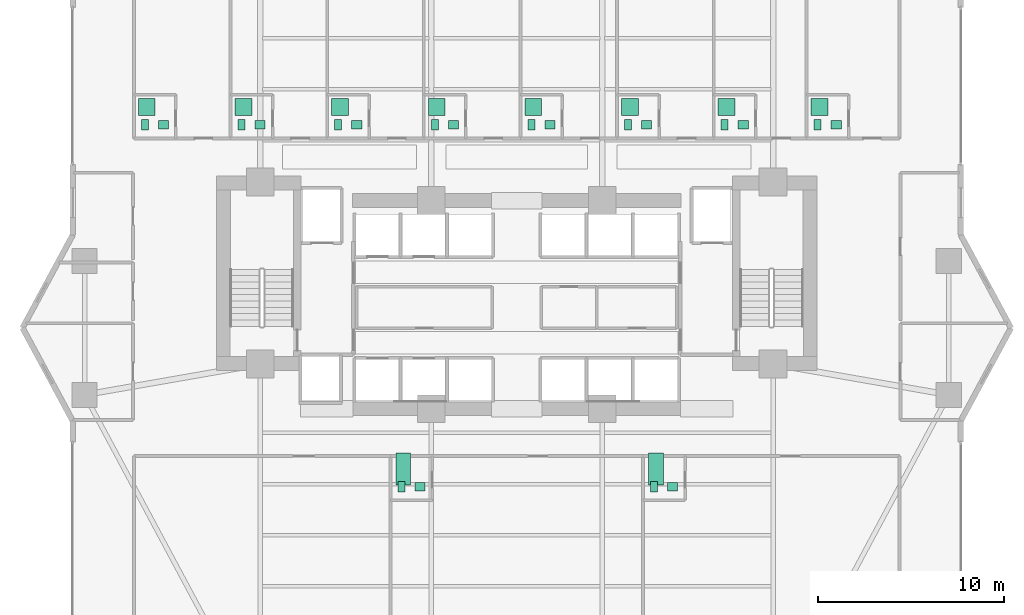
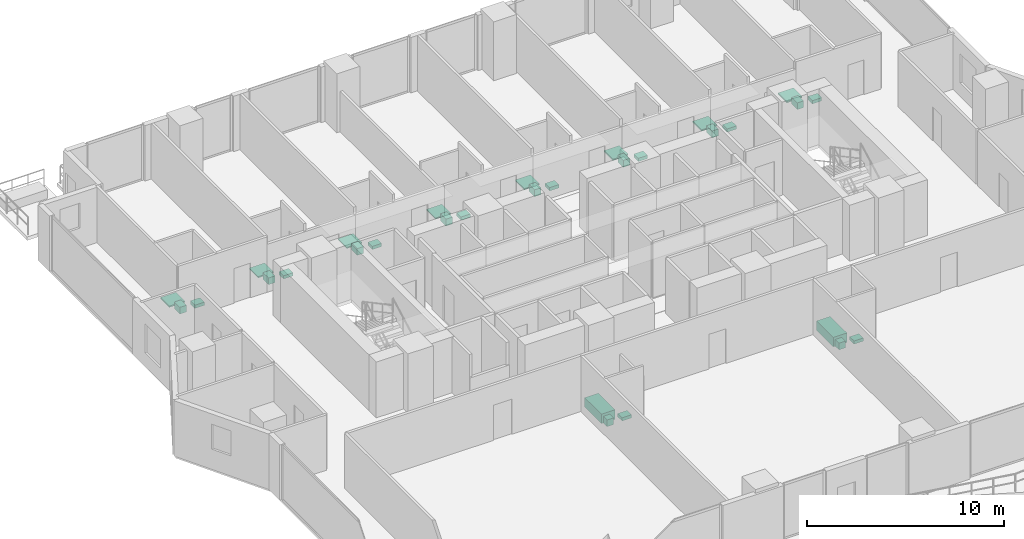
# One storey, part 29 of 29: 30 sanitary terminals.
"""IFC4 building model written with IfcOpenShell, lengths in metres."""

from ifc_helpers import new_model, si_unit, direction, frame, origin, origin_2d, place, context, subcontext, project, spatial, rectangle, extrude, material, type_object, element, save


model = new_model("IFC4")

# Units and contexts
model_context = context("Model", 3, precision=1e-05, world=origin(), true_north=direction((0.0, 1.0)))
body_context = subcontext(model_context, "Body", "Model", "MODEL_VIEW")
ifc_project = project(units=[si_unit("LENGTHUNIT", "METRE"), si_unit("AREAUNIT", "SQUARE_METRE"), si_unit("VOLUMEUNIT", "CUBIC_METRE"), si_unit("PLANEANGLEUNIT", "RADIAN"), si_unit("MASSUNIT", "GRAM", prefix="KILO")], contexts=[model_context])

# Site, building, storey
site_placement = place(None, origin())
site = spatial("IfcSite", under=ifc_project, at=site_placement, CompositionType="ELEMENT")
building_placement = place(site_placement, origin())
building = spatial("IfcBuilding", under=site, at=building_placement, Name="Zuhayl Quay Hotel", CompositionType="ELEMENT")
storey_placement = place(building_placement, frame((0.0, 0.0, 106.60009765625)))
storey = spatial("IfcBuildingStorey", under=building, at=storey_placement, Name="L26", CompositionType="ELEMENT", Elevation=106.60009765625)

# Sanitary terminals
ifc_material = material(Name="Vitreous Porcelain Sanitaryware")
sanitary_terminal_type_1 = type_object("IfcSanitaryTerminalType", Name="SAN_BASIN", PredefinedType="WASHHANDBASIN", material=ifc_material)
for number, where, z_axis, x_axis, name in (
    (1, (-19.010009765625, 17.43994140625, 0.0), (0.0, 0.0, 1.0), (1.0, 0.0, 0.0), "L26 Sanitary Fixture WASHHANDBASIN"),
    (2, (-13.81005859375, 17.43994140625, 0.0), (0.0, 0.0, 1.0), (1.0, 0.0, 0.0), "L26 Sanitary Fixture WASHHANDBASIN"),
    (3, (-8.610107421875, 17.43994140625, 0.0), (0.0, 0.0, 1.0), (1.0, 0.0, 0.0), "L26 Sanitary Fixture WASHHANDBASIN"),
    (4, (-3.409912109375, 17.43994140625, 0.0), (0.0, 0.0, 1.0), (1.0, 0.0, 0.0), "L26 Sanitary Fixture WASHHANDBASIN"),
    (5, (1.7900390625, 17.43994140625, 0.0), (0.0, 0.0, 1.0), (1.0, 0.0, 0.0), "L26 Sanitary Fixture WASHHANDBASIN"),
    (6, (6.989990234375, 17.43994140625, 0.0), (0.0, 0.0, 1.0), (1.0, 0.0, 0.0), "L26 Sanitary Fixture WASHHANDBASIN"),
    (7, (12.18994140625, 17.43994140625, 0.0), (0.0, 0.0, 1.0), (1.0, 0.0, 0.0), "L26 Sanitary Fixture WASHHANDBASIN"),
    (8, (17.18994140625, 17.43994140625, 0.0), (0.0, 0.0, 1.0), (1.0, 0.0, 0.0), "L26 Sanitary Fixture WASHHANDBASIN"),
    (9, (-5.2099609375, -2.0400390625, 0.0), (0.0, 0.0, 1.0), (1.0, 0.0, 0.0), "L26 Sanitary Fixture WASHHANDBASIN"),
    (10, (8.389892578125, -2.0400390625, 0.0), (0.0, 0.0, 1.0), (1.0, 0.0, 0.0), "L26 Sanitary Fixture WASHHANDBASIN"),
):
    element("IfcSanitaryTerminal", number, at=place(storey_placement, frame(where, z_axis=z_axis, x_axis=x_axis)), inside=storey, type_object=sanitary_terminal_type_1, Name=name, PredefinedType="WASHHANDBASIN", context=body_context, shape_type="SweptSolid", body=[
        extrude(rectangle(XDim=0.550048828125, YDim=0.449951171875, at=origin_2d()), origin(), (0.0, 0.0, 1.0), 0.199951171875),
    ])
sanitary_terminal_type_2 = type_object("IfcSanitaryTerminalType", Name="SAN_BATH", PredefinedType="BATH", material=ifc_material)
for number, where, z_axis, x_axis, name in (
    (11, (-6.110107421875, -1.090087890625, -0.000244140625), (0.0, 0.0, 1.0), (1.0, 0.0, 0.0), "L26 Sanitary Fixture BATH"),
    (12, (7.489990234375, -1.090087890625, -0.000244140625), (0.0, 0.0, 1.0), (1.0, 0.0, 0.0), "L26 Sanitary Fixture BATH"),
):
    element("IfcSanitaryTerminal", number, at=place(storey_placement, frame(where, z_axis=z_axis, x_axis=x_axis)), inside=storey, type_object=sanitary_terminal_type_2, Name=name, PredefinedType="BATH", context=body_context, shape_type="SweptSolid", body=[
        extrude(rectangle(XDim=0.800048828125, YDim=1.699951171875, at=origin_2d()), origin(), (0.0, 0.0, 1.0), 0.580078125),
    ])
sanitary_terminal_type_3 = type_object("IfcSanitaryTerminalType", Name="SAN_SHOWER", PredefinedType="SHOWER", material=ifc_material)
for number, where, z_axis, x_axis, name in (
    (13, (-19.909912109375, 18.389892578125, -0.000244140625), (0.0, 0.0, 1.0), (1.0, 0.0, 0.0), "L26 Sanitary Fixture SHOWER"),
    (14, (-14.7099609375, 18.389892578125, -0.000244140625), (0.0, 0.0, 1.0), (1.0, 0.0, 0.0), "L26 Sanitary Fixture SHOWER"),
    (15, (-9.510009765625, 18.389892578125, -0.000244140625), (0.0, 0.0, 1.0), (1.0, 0.0, 0.0), "L26 Sanitary Fixture SHOWER"),
    (16, (-4.31005859375, 18.389892578125, -0.000244140625), (0.0, 0.0, 1.0), (1.0, 0.0, 0.0), "L26 Sanitary Fixture SHOWER"),
    (17, (0.889892578125, 18.389892578125, -0.000244140625), (0.0, 0.0, 1.0), (1.0, 0.0, 0.0), "L26 Sanitary Fixture SHOWER"),
    (18, (6.090087890625, 18.389892578125, -0.000244140625), (0.0, 0.0, 1.0), (1.0, 0.0, 0.0), "L26 Sanitary Fixture SHOWER"),
    (19, (11.2900390625, 18.389892578125, -0.000244140625), (0.0, 0.0, 1.0), (1.0, 0.0, 0.0), "L26 Sanitary Fixture SHOWER"),
    (20, (16.2900390625, 18.389892578125, -0.000244140625), (0.0, 0.0, 1.0), (1.0, 0.0, 0.0), "L26 Sanitary Fixture SHOWER"),
):
    element("IfcSanitaryTerminal", number, at=place(storey_placement, frame(where, z_axis=z_axis, x_axis=x_axis)), inside=storey, type_object=sanitary_terminal_type_3, Name=name, PredefinedType="SHOWER", context=body_context, shape_type="SweptSolid", body=[
        extrude(rectangle(XDim=0.89990234375, YDim=0.89990234375, at=origin_2d()), origin(), (0.0, 0.0, 1.0), 0.080078125),
    ])
sanitary_terminal_type_4 = type_object("IfcSanitaryTerminalType", Name="SAN_WC", PredefinedType="TOILETPAN", material=ifc_material)
for number, where, z_axis, x_axis, name in (
    (21, (-20.010009765625, 17.43994140625, 0.0), (0.0, 0.0, 1.0), (1.0, 0.0, 0.0), "L26 Sanitary Fixture TOILETPAN"),
    (22, (-14.81005859375, 17.43994140625, 0.0), (0.0, 0.0, 1.0), (1.0, 0.0, 0.0), "L26 Sanitary Fixture TOILETPAN"),
    (23, (-9.610107421875, 17.43994140625, 0.0), (0.0, 0.0, 1.0), (1.0, 0.0, 0.0), "L26 Sanitary Fixture TOILETPAN"),
    (24, (-4.409912109375, 17.43994140625, 0.0), (0.0, 0.0, 1.0), (1.0, 0.0, 0.0), "L26 Sanitary Fixture TOILETPAN"),
    (25, (0.7900390625, 17.43994140625, 0.0), (0.0, 0.0, 1.0), (1.0, 0.0, 0.0), "L26 Sanitary Fixture TOILETPAN"),
    (26, (5.989990234375, 17.43994140625, 0.0), (0.0, 0.0, 1.0), (1.0, 0.0, 0.0), "L26 Sanitary Fixture TOILETPAN"),
    (27, (11.18994140625, 17.43994140625, 0.0), (0.0, 0.0, 1.0), (1.0, 0.0, 0.0), "L26 Sanitary Fixture TOILETPAN"),
    (28, (16.18994140625, 17.43994140625, 0.0), (0.0, 0.0, 1.0), (1.0, 0.0, 0.0), "L26 Sanitary Fixture TOILETPAN"),
    (29, (-6.2099609375, -2.0400390625, 0.0), (0.0, 0.0, 1.0), (1.0, 0.0, 0.0), "L26 Sanitary Fixture TOILETPAN"),
    (30, (7.389892578125, -2.0400390625, 0.0), (0.0, 0.0, 1.0), (1.0, 0.0, 0.0), "L26 Sanitary Fixture TOILETPAN"),
):
    element("IfcSanitaryTerminal", number, at=place(storey_placement, frame(where, z_axis=z_axis, x_axis=x_axis)), inside=storey, type_object=sanitary_terminal_type_4, Name=name, PredefinedType="TOILETPAN", context=body_context, shape_type="SweptSolid", body=[
        extrude(rectangle(XDim=0.3798828125, YDim=0.56005859375, at=origin_2d()), origin(), (0.0, 0.0, 1.0), 0.419921875),
    ])

save(model, "model.ifc")
